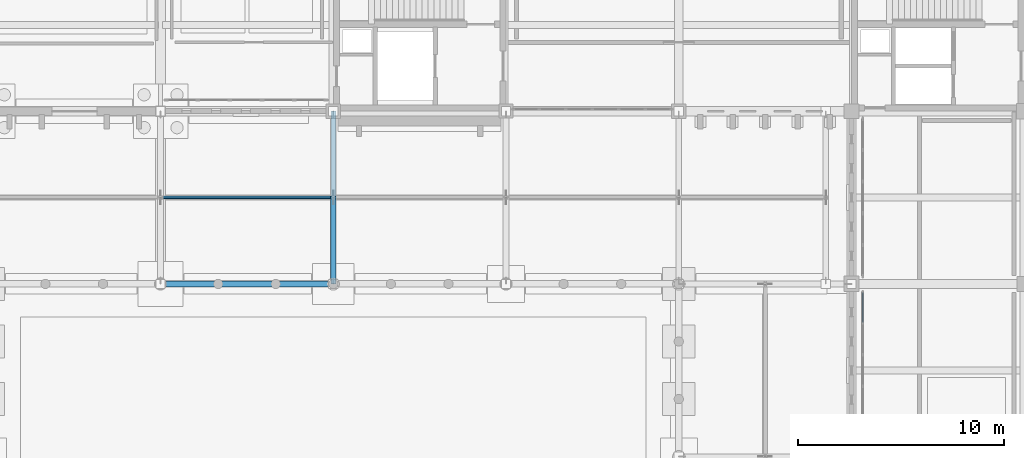
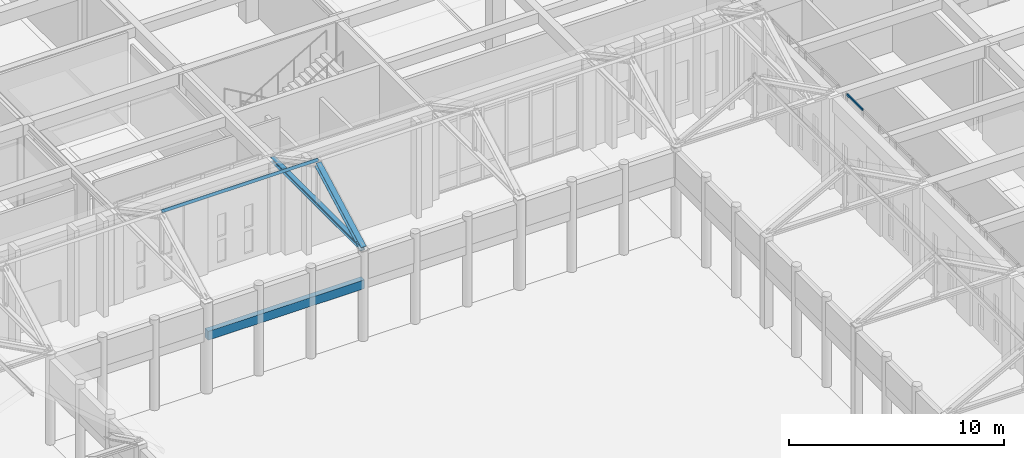
# One storey, part 62 of 143: 4 members, 1 beam, 1 element without a shape of its own.
"""IFC4 building model written with IfcOpenShell, lengths in metres."""

from ifc_helpers import new_model, si_unit, direction, frame, origin, origin_2d, place, context, subcontext, project, spatial, rectangle, hollow_rectangle, i_section, extrude, material, layer, layer_set, material_profile, profile_set, type_object, element, aggregate, save


model = new_model("IFC4")

# Units and contexts
model_context = context("Model", 3, precision=1e-05, world=origin(), true_north=direction((0.0, 1.0)))
body_context = subcontext(model_context, "Body", "Model", "MODEL_VIEW")
ifc_project = project(units=[si_unit("LENGTHUNIT", "METRE"), si_unit("AREAUNIT", "SQUARE_METRE"), si_unit("VOLUMEUNIT", "CUBIC_METRE"), si_unit("PLANEANGLEUNIT", "RADIAN"), si_unit("MASSUNIT", "GRAM", prefix="KILO")], contexts=[model_context])

# Site, building, storey
site_placement = place(None, origin())
site = spatial("IfcSite", under=ifc_project, at=site_placement, CompositionType="ELEMENT")
building_placement = place(site_placement, origin())
building = spatial("IfcBuilding", under=site, at=building_placement, Name="Kveldsbrygga Polytechnic", CompositionType="ELEMENT")
storey_placement = place(building_placement, origin())
storey = spatial("IfcBuildingStorey", under=building, at=storey_placement, Name="L00", CompositionType="ELEMENT", Elevation=0.0)

# Curtain wall, member
ifc_material_1 = material(Name="Anodised aluminium AW-6060", Category="aluminium")
ifc_layer = layer(ifc_material_1, 0.179931640625)
ifc_layer_set = layer_set([ifc_layer], Name="Anodised aluminium AW-6060")
curtain_wall_type = type_object("IfcCurtainWallType", Name="CW-CONC-A", PredefinedType="USERDEFINED", material=ifc_layer_set)
curtain_wall_placement = place(storey_placement, origin())
curtain_wall = element("IfcCurtainWall", 1, at=curtain_wall_placement, inside=storey, type_object=curtain_wall_type, Name="Curtain Wall CW-L00-Y-15-08", ObjectType="UNITISED CURTAIN WALL", PredefinedType="USERDEFINED")
ifc_material_profile_1 = material_profile(ifc_material_1, rectangle(XDim=0.06005859375, YDim=0.1201171875, at=origin_2d()), Name="ALU 60x120")
ifc_profile_set_1 = profile_set([ifc_material_profile_1], Name="Anodised aluminium AW-6060")
member_type_1 = type_object("IfcMemberType", Name="CW-TRN-120", PredefinedType="USERDEFINED", material=ifc_profile_set_1)
member_1_placement = place(storey_placement, frame((126.550048828125, 73.73095703125, 5.110107421875), z_axis=(0.0, 1.0, 0.0), x_axis=(-1.0, 0.0, 0.0)))
member_1 = element("IfcMember", 2, at=member_1_placement, type_object=member_type_1, Name="CW-01 transom 5.4", ObjectType="TRANSOM", PredefinedType="USERDEFINED", context=body_context, shape_type="SweptSolid", body=[
    extrude(rectangle(XDim=0.06005859375, YDim=0.1201171875, at=origin_2d()), origin(), (0.0, 0.0, 1.0), 1.448974609375),
])
aggregate(curtain_wall, [member_1])

# Beam
ifc_material_2 = material(Name="Concrete C35/45", Category="concrete")
ifc_material_profile_2 = material_profile(ifc_material_2, rectangle(XDim=0.300048828125, YDim=0.5, at=origin_2d()), Name="RC 300x500")
ifc_profile_set_2 = profile_set([ifc_material_profile_2], Name="Concrete C35/45")
beam_type = type_object("IfcBeamType", Name="LNT-RC-300x500", PredefinedType="LINTEL", material=ifc_profile_set_2)
beam_placement = place(storey_placement, frame((92.39990234375, 75.60009765625, 3.199951171875), z_axis=(1.0, 0.0, 0.0), x_axis=(0.0, 1.0, 0.0)))
element("IfcBeam", 3, at=beam_placement, inside=storey, type_object=beam_type, Name="Cloister Arcade Arch Lintel Beam BM-ARC-HDR-13", PredefinedType="LINTEL", context=body_context, shape_type="SweptSolid", body=[
    extrude(rectangle(XDim=0.300048828125, YDim=0.5, at=origin_2d()), origin(), (0.0, 0.0, 1.0), 8.400146484375),
])

# Members
ifc_material_3 = material(Name="Steel S355", Category="steel")
ifc_material_profile_3 = material_profile(ifc_material_3, hollow_rectangle(XDim=0.10009765625, YDim=0.14990234375, WallThickness=0.008056640625, at=origin_2d()), Name="RHS 150x100x8.0")
ifc_profile_set_3 = profile_set([ifc_material_profile_3], Name="Steel S355")
member_type_2 = type_object("IfcMemberType", Name="PRL-RHS150", PredefinedType="PURLIN", material=ifc_profile_set_3)
member_2_placement = place(storey_placement, frame((92.39990234375, 79.800048828125, 7.6337890625), z_axis=(1.0, 0.0, 0.0), x_axis=(0.0, 0.881479888517, -0.472221564671)))
element("IfcMember", 4, at=member_2_placement, inside=storey, type_object=member_type_2, Name="Roof Purlin ARC-EN-PRL-3-1", PredefinedType="PURLIN", context=body_context, shape_type="SweptSolid", body=[
    extrude(hollow_rectangle(XDim=0.10009765625, YDim=0.14990234375, WallThickness=0.008056640625, at=origin_2d()), origin(), (0.0, 0.0, 1.0), 8.400146484375),
])
ifc_material_profile_4 = material_profile(ifc_material_3, i_section(OverallWidth=0.239990234375, OverallDepth=0.239990234375, WebThickness=0.010009765625, FlangeThickness=0.01708984375, FilletRadius=0.02099609375, at=origin_2d()), Name="HEB 240")
ifc_profile_set_4 = profile_set([ifc_material_profile_4], Name="Steel S355")
member_type_3 = type_object("IfcMemberType", Name="TR-BOT-HEB240", PredefinedType="CHORD", material=ifc_profile_set_4)
member_3_placement = place(storey_placement, frame((100.800048828125, 75.60009765625, 5.139892578125), z_axis=(0.0, 1.0, 0.0), x_axis=(-1.0, 0.0, 0.0)))
element("IfcMember", 5, at=member_3_placement, inside=storey, type_object=member_type_3, Name="Truss Bottom Chord ARC-EN-T04-BC-1", PredefinedType="CHORD", context=body_context, shape_type="SweptSolid", body=[
    extrude(i_section(OverallWidth=0.239990234375, OverallDepth=0.239990234375, WebThickness=0.010009765625, FlangeThickness=0.01708984375, FilletRadius=0.02099609375, at=origin_2d()), origin(), (0.0, 0.0, 1.0), 8.39990234375),
])
ifc_material_profile_5 = material_profile(ifc_material_3, i_section(OverallWidth=0.280029296875, OverallDepth=0.280029296875, WebThickness=0.010498046875, FlangeThickness=0.01806640625, FilletRadius=0.02392578125, at=origin_2d()), Name="HEB 280")
ifc_profile_set_5 = profile_set([ifc_material_profile_5], Name="Steel S355")
member_type_4 = type_object("IfcMemberType", Name="TR-TOP-HEB280", PredefinedType="CHORD", material=ifc_profile_set_5)
member_4_placement = place(storey_placement, frame((100.800048828125, 75.60009765625, 5.139892578125), z_axis=(0.0, 0.881477684796, 0.472225678258), x_axis=(-1.0, 0.0, 0.0)))
element("IfcMember", 6, at=member_4_placement, inside=storey, type_object=member_type_4, Name="Truss Top Chord ARC-EN-T04-TC-1", PredefinedType="CHORD", context=body_context, shape_type="SweptSolid", body=[
    extrude(i_section(OverallWidth=0.280029296875, OverallDepth=0.280029296875, WebThickness=0.010498046875, FlangeThickness=0.01806640625, FilletRadius=0.02392578125, at=origin_2d()), origin(), (0.0, 0.0, 1.0), 4.7646484375),
])

save(model, "model.ifc")
